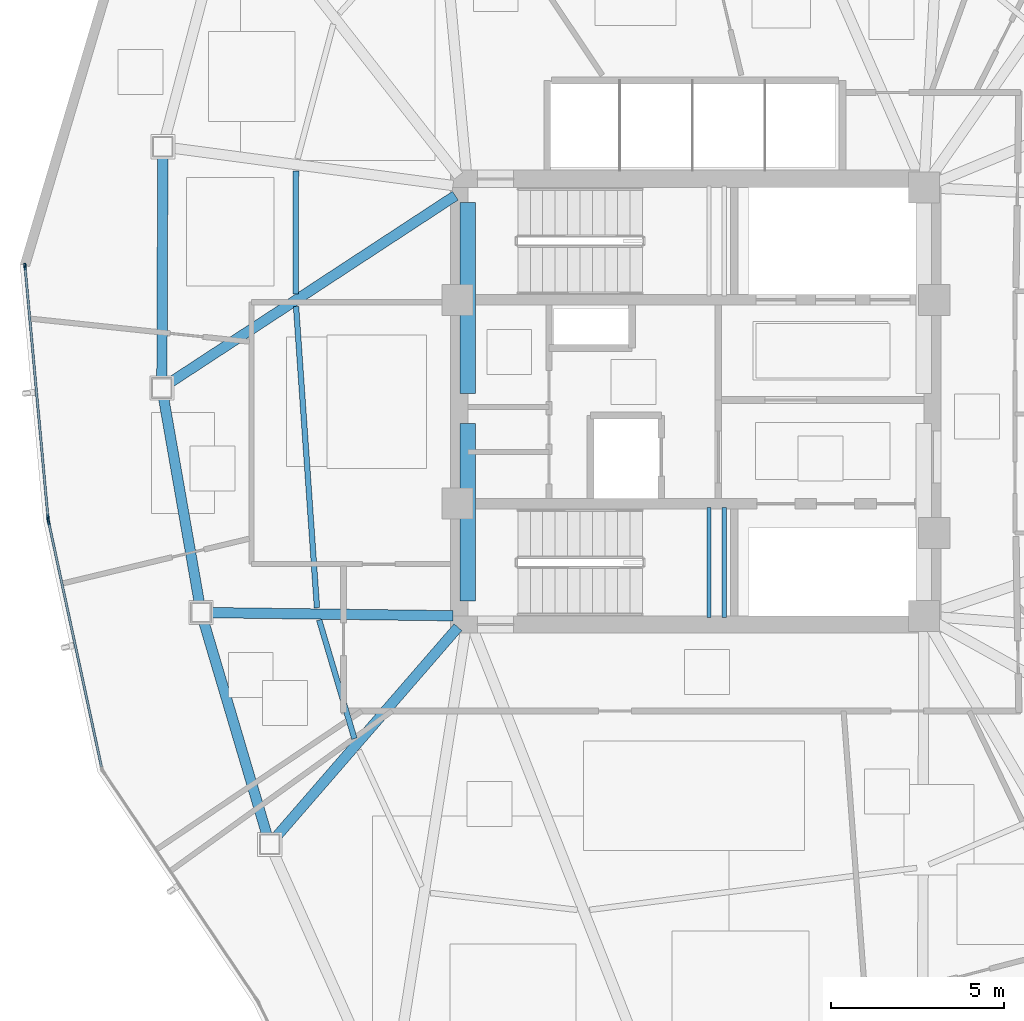
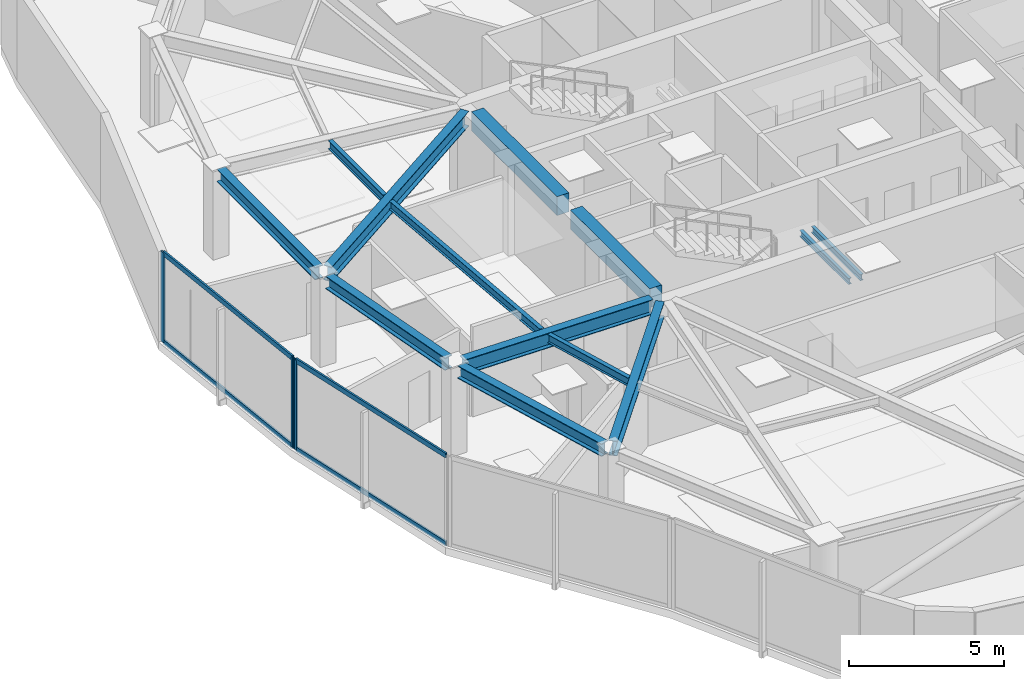
# One storey, part 4 of 17: 13 beams, 7 members, 2 elements without a shape of their own.
"""IFC4 building model written with IfcOpenShell, lengths in metres."""

import ifcopenshell
import ifcopenshell.guid

model = None  # the IFC model being written
_history = None  # IfcOwnerHistory: only IFC2X3 demands one
_inside = {}  # id of a spatial element -> (the spatial element, [elements in it])
_under = {}  # id of a project, library or spatial element -> (it, [spatial elements below it])
_declared = {}  # id of a project -> (the project, [libraries it declares])
_typed = {}  # id of a type object -> (the type object, [elements of that type])
_made_of = {}  # id of a material, layer set ... -> (it, [elements and type objects made of it])


def new_model(schema):
    """Start an empty IFC model of exactly this schema.

    Asked for "IFC4X3", IfcOpenShell would pick the latest addendum, in which some entities
    have other attributes; the version numbers below select the first issue.
    IFC2X3 requires an IfcOwnerHistory on every rooted entity: one is made here for all.
    """
    global model, _history
    if schema == "IFC4X3":
        model = ifcopenshell.file(schema_version=(4, 3, 0, 0))
    else:
        model = ifcopenshell.file(schema=schema)
    _inside.clear()
    _under.clear()
    _declared.clear()
    _typed.clear()
    _made_of.clear()
    _history = None
    if model.schema == "IFC2X3":
        org = make("IfcOrganization", Name="unknown")
        user = make(
            "IfcPersonAndOrganization",
            ThePerson=make("IfcPerson", FamilyName="unknown"),
            TheOrganization=org,
        )
        app = make(
            "IfcApplication",
            ApplicationDeveloper=org,
            Version="unknown",
            ApplicationFullName="unknown",
            ApplicationIdentifier="unknown",
        )
        _history = make(
            "IfcOwnerHistory",
            OwningUser=user,
            OwningApplication=app,
            ChangeAction="ADDED",
            CreationDate=0,
        )
    return model


def make(cls, **values):
    """One entity of the class cls with the attributes given. An attribute that is None is left unset."""
    return model.create_entity(
        cls, **{name: value for name, value in values.items() if value is not None}
    )


def rooted(cls, **values):
    """An entity with a GlobalId (a new one), such as an element, a storey or a relation."""
    return make(cls, GlobalId=ifcopenshell.guid.new(), OwnerHistory=_history, **values)


def si_unit(unit_type, name, prefix=None):
    """IfcSIUnit, for example si_unit("LENGTHUNIT", "METRE", prefix="MILLI")."""
    return make("IfcSIUnit", UnitType=unit_type, Prefix=prefix, Name=name)


def assignment(units):
    """IfcUnitAssignment: the units of a project."""
    return None if units is None else make("IfcUnitAssignment", Units=units)


def point(xyz):
    """IfcCartesianPoint."""
    return None if xyz is None else make("IfcCartesianPoint", Coordinates=xyz)


def direction(xyz):
    """IfcDirection."""
    return None if xyz is None else make("IfcDirection", DirectionRatios=xyz)


def frame(location, z_axis=None, x_axis=None):
    """IfcAxis2Placement3D, a coordinate frame: its origin and axes. An axis left out is left unset."""
    return make(
        "IfcAxis2Placement3D",
        Location=point(location),
        Axis=direction(z_axis),
        RefDirection=direction(x_axis),
    )


def frame_2d(location, x_axis=None):
    """IfcAxis2Placement2D, a coordinate frame in the plane: its origin and x axis."""
    return make(
        "IfcAxis2Placement2D", Location=point(location), RefDirection=direction(x_axis)
    )


def origin():
    """The frame at (0, 0, 0) with its axes left unset."""
    return frame((0.0, 0.0, 0.0))


def origin_2d():
    """The frame at (0, 0) in the plane with its x axis left unset."""
    return frame_2d((0.0, 0.0))


def place(relative_to, where):
    """IfcLocalPlacement: puts the frame where relative to a parent placement (None: the world)."""
    return make(
        "IfcLocalPlacement", PlacementRelTo=relative_to, RelativePlacement=where
    )


def context(
    kind, dimensions, precision=None, world=None, true_north=None, identifier=None
):
    """IfcGeometricRepresentationContext, for example the 3D "Model" context."""
    return make(
        "IfcGeometricRepresentationContext",
        ContextIdentifier=identifier,
        ContextType=kind,
        CoordinateSpaceDimension=dimensions,
        Precision=precision,
        WorldCoordinateSystem=world,
        TrueNorth=true_north,
    )


def subcontext(parent, identifier, kind, view, scale=None):
    """IfcGeometricRepresentationSubContext, for example "Body" below "Model"."""
    return make(
        "IfcGeometricRepresentationSubContext",
        ContextIdentifier=identifier,
        ContextType=kind,
        ParentContext=parent,
        TargetScale=scale,
        TargetView=view,
    )


def project(units=None, contexts=None):
    """IfcProject with its units and contexts."""
    return rooted(
        "IfcProject",
        Name="project",
        RepresentationContexts=contexts,
        UnitsInContext=assignment(units),
    )


def spatial(cls, under=None, at=None, **own):
    """A site, building, storey or space (cls), placed at a placement, below another one or the project."""
    s = rooted(cls, ObjectPlacement=at, **own)
    if under is not None:
        _under.setdefault(under.id(), (under, []))[1].append(s)
    return s


def profile(cls, at=None, kind="AREA", **sizes):
    """A parametric profile (cls). Its sizes go by their IFC names, for example OverallWidth=200.0."""
    return make(cls, ProfileType=kind, Position=at, **sizes)


def rectangle(**sizes):
    """IfcRectangleProfileDef."""
    return profile("IfcRectangleProfileDef", **sizes)


def hollow_rectangle(**sizes):
    """IfcRectangleHollowProfileDef."""
    return profile("IfcRectangleHollowProfileDef", **sizes)


def i_section(**sizes):
    """IfcIShapeProfileDef."""
    return profile("IfcIShapeProfileDef", **sizes)


def extrude(swept, where, along, depth):
    """IfcExtrudedAreaSolid: the profile swept, set in the frame where, extruded along a direction by depth."""
    return make(
        "IfcExtrudedAreaSolid",
        SweptArea=swept,
        Position=where,
        ExtrudedDirection=direction(along),
        Depth=depth,
    )


def shape(context_of_items, identifier, shape_type, items):
    """IfcShapeRepresentation: the items that make up one representation, for example the "Body"."""
    return make(
        "IfcShapeRepresentation",
        ContextOfItems=context_of_items,
        RepresentationIdentifier=identifier,
        RepresentationType=shape_type,
        Items=items,
    )


def source(mapping_origin, context_of_items, identifier, shape_type, items):
    """IfcRepresentationMap: a shape defined once, which mapped items show again and again."""
    return make(
        "IfcRepresentationMap",
        MappingOrigin=mapping_origin,
        MappedRepresentation=shape(context_of_items, identifier, shape_type, items),
    )


def transform(
    local_origin,
    x_axis=None,
    y_axis=None,
    z_axis=None,
    scale=None,
    scale2=None,
    scale3=None,
    uniform=True,
):
    """IfcCartesianTransformationOperator3D, or its non-uniform kind. x_axis, y_axis, z_axis: its Axis1, 2, 3."""
    if uniform:
        return make(
            "IfcCartesianTransformationOperator3D",
            Axis1=direction(x_axis),
            Axis2=direction(y_axis),
            LocalOrigin=point(local_origin),
            Scale=scale,
            Axis3=direction(z_axis),
        )
    return make(
        "IfcCartesianTransformationOperator3DnonUniform",
        Axis1=direction(x_axis),
        Axis2=direction(y_axis),
        LocalOrigin=point(local_origin),
        Scale=scale,
        Axis3=direction(z_axis),
        Scale2=scale2,
        Scale3=scale3,
    )


def mapped(mapping_source, mapping_target):
    """IfcMappedItem: shows the shape of a source again, moved by a transform."""
    return make(
        "IfcMappedItem", MappingSource=mapping_source, MappingTarget=mapping_target
    )


def material(Name=None, Category=None):
    """IfcMaterial."""
    return make("IfcMaterial", Name=Name, Category=Category)


def layer(
    of_material, thickness, ventilated=None, Name=None, Category=None, Priority=None
):
    """IfcMaterialLayer: one layer of a wall or slab, of a material (None: an air gap)."""
    return make(
        "IfcMaterialLayer",
        Material=of_material,
        LayerThickness=thickness,
        IsVentilated=ventilated,
        Name=Name,
        Category=Category,
        Priority=Priority,
    )


def layer_set(layers, Name=None):
    """IfcMaterialLayerSet."""
    return make("IfcMaterialLayerSet", MaterialLayers=layers, LayerSetName=Name)


def material_profile(
    of_material, cross_section, Name=None, Category=None, Priority=None
):
    """IfcMaterialProfile: a cross section and its material."""
    return make(
        "IfcMaterialProfile",
        Name=Name,
        Material=of_material,
        Profile=cross_section,
        Priority=Priority,
        Category=Category,
    )


def profile_set(profiles, Name=None, composite=None):
    """IfcMaterialProfileSet."""
    return make(
        "IfcMaterialProfileSet",
        Name=Name,
        MaterialProfiles=profiles,
        CompositeProfile=composite,
    )


def made_of(thing, what):
    """Note that an element or type object is made of a material, layer set ...; save() writes the relation."""
    if what is not None:
        _made_of.setdefault(what.id(), (what, []))[1].append(thing)
    return thing


def type_object(cls, material=None, **own):
    """A type object (cls), such as IfcWallType, which elements share."""
    return made_of(rooted(cls, **own), material)


def type_shapes(of_type, sources):
    """Give a type object the sources (RepresentationMaps) that its elements show as mapped items."""
    of_type.RepresentationMaps = sources


def element(
    cls,
    number,
    at=None,
    inside=None,
    cuts=None,
    type_object=None,
    material=None,
    context=None,
    identifier="Body",
    shape_type=None,
    held_by="IfcProductDefinitionShape",
    body=None,
    shapes=None,
    **own,
):
    """One element of the class cls, such as IfcWall. Its Tag is "e" and its number.

    at: its placement. inside: the storey or other place that contains it. cuts: it is an
    opening in that element (IfcRelVoidsElement). A single representation is given by context,
    identifier, shape_type and body (its items); several are given by shapes. held_by: the class
    of the entity that holds the representations. save() writes the other relations.
    """
    e = rooted(cls, Tag="e%d" % number, ObjectPlacement=at, **own)
    if body is not None:
        shapes = [shape(context, identifier, shape_type, body)]
    if shapes is not None:
        e.Representation = make(held_by, Representations=shapes)
    if inside is not None:
        _inside.setdefault(inside.id(), (inside, []))[1].append(e)
    if cuts is not None:
        rooted(
            "IfcRelVoidsElement", RelatingBuildingElement=cuts, RelatedOpeningElement=e
        )
    if type_object is not None:
        _typed.setdefault(type_object.id(), (type_object, []))[1].append(e)
    return made_of(e, material)


def aggregate(whole, parts):
    """IfcRelAggregates: a whole, such as a stair, and the parts it consists of."""
    return rooted("IfcRelAggregates", RelatingObject=whole, RelatedObjects=parts)


def save(model, path):
    """Write the relations noted so far, then the file.

    IfcRelAggregates (storeys below a building ...), IfcRelContainedInSpatialStructure (elements
    in a storey), IfcRelDefinesByType, IfcRelAssociatesMaterial and IfcRelDeclares: one each for
    every whole, place, type object, material and project.
    """
    for whole, parts in _under.values():
        aggregate(whole, parts)
    for where, things in _inside.values():
        rooted(
            "IfcRelContainedInSpatialStructure",
            RelatedElements=things,
            RelatingStructure=where,
        )
    for kind, things in _typed.values():
        rooted("IfcRelDefinesByType", RelatedObjects=things, RelatingType=kind)
    for what, things in _made_of.values():
        rooted("IfcRelAssociatesMaterial", RelatedObjects=things, RelatingMaterial=what)
    for by, libraries in _declared.values():
        rooted("IfcRelDeclares", RelatingContext=by, RelatedDefinitions=libraries)
    model.write(path)


model = new_model("IFC4")

# Units and contexts
model_context = context("Model", 3, precision=1e-05, world=origin(), true_north=direction((0.0, 1.0)))
body_context = subcontext(model_context, "Body", "Model", "MODEL_VIEW")
ifc_project = project(units=[si_unit("LENGTHUNIT", "METRE"), si_unit("AREAUNIT", "SQUARE_METRE"), si_unit("VOLUMEUNIT", "CUBIC_METRE"), si_unit("PLANEANGLEUNIT", "RADIAN"), si_unit("MASSUNIT", "GRAM", prefix="KILO")], contexts=[model_context])

# Site, building, storey
site_placement = place(None, origin())
site = spatial("IfcSite", under=ifc_project, at=site_placement, CompositionType="ELEMENT")
building_placement = place(site_placement, origin())
building = spatial("IfcBuilding", under=site, at=building_placement, Name="Tavelor Broadcast Tower", CompositionType="ELEMENT")
storey_placement = place(building_placement, frame((0.0, 0.0, 196.449951171875)))
storey = spatial("IfcBuildingStorey", under=building, at=storey_placement, Name="L47", CompositionType="ELEMENT", Elevation=196.449951171875)

# Beams
ifc_material_1 = material(Name="Concrete C40/50", Category="concrete")
ifc_material_profile_1 = material_profile(ifc_material_1, rectangle(XDim=0.449951171875, YDim=0.75, at=origin_2d()), Name="RC 450x750")
ifc_profile_set_1 = profile_set([ifc_material_profile_1], Name="Concrete C40/50")
beam_type_1 = type_object("IfcBeamType", Name="Basement Core Trim Beam 450x750", PredefinedType="BEAM", material=ifc_profile_set_1)
beam_1_placement = place(storey_placement, frame((43.39990234375, 45.23193359375, 3.175048828125), z_axis=(0.0, 1.0, 0.0), x_axis=(-1.0, 0.0, 0.0)))
element("IfcBeam", 1, at=beam_1_placement, inside=storey, type_object=beam_type_1, Name="L47 Core West-N Tie Girder", PredefinedType="BEAM", context=body_context, shape_type="SweptSolid", body=[
    extrude(rectangle(XDim=0.449951171875, YDim=0.75, at=origin_2d()), origin(), (0.0, 0.0, 1.0), 5.5361328125),
])
beam_2_placement = place(storey_placement, frame((43.39990234375, 39.23193359375, 3.175048828125), z_axis=(0.0, 1.0, 0.0), x_axis=(-1.0, 0.0, 0.0)))
element("IfcBeam", 2, at=beam_2_placement, inside=storey, type_object=beam_type_1, Name="L47 Core West-S Tie Girder", PredefinedType="BEAM", context=body_context, shape_type="SweptSolid", body=[
    extrude(rectangle(XDim=0.449951171875, YDim=0.75, at=origin_2d()), origin(), (0.0, 0.0, 1.0), 5.135986328125),
])
ifc_material_2 = material(Name="Steel S355", Category="steel")
ifc_material_profile_2 = material_profile(ifc_material_2, i_section(OverallWidth=0.159912109375, OverallDepth=0.330078125, WebThickness=0.007568359375, FlangeThickness=0.011474609375, at=origin_2d()), Name="IPE 330")
ifc_profile_set_2 = profile_set([ifc_material_profile_2], Name="Steel S355")
beam_type_2 = type_object("IfcBeamType", Name="Composite Floor Joist T4 IPE 330", PredefinedType="JOIST", material=ifc_profile_set_2)
beam_3_placement = place(storey_placement, frame((38.428955078125, 51.68310546875, 3.385009765625), z_axis=(-0.002943579799, -0.99999566766, 0.0), x_axis=(0.99999566766, -0.002943579799, 0.0)))
element("IfcBeam", 3, at=beam_3_placement, inside=storey, type_object=beam_type_2, Name="L47 Secondary Composite Floor Joist 03", PredefinedType="JOIST", context=body_context, shape_type="SweptSolid", body=[
    extrude(i_section(OverallWidth=0.159912109375, OverallDepth=0.330078125, WebThickness=0.007568359375, FlangeThickness=0.011474609375, at=origin_2d()), origin(), (0.0, 0.0, 1.0), 3.56640625),
])
beam_4_placement = place(storey_placement, frame((38.430419921875, 47.755126953125, 3.385009765625), z_axis=(0.069281460066, -0.997597152808, 0.0), x_axis=(0.997597152808, 0.069281460066, 0.0)))
element("IfcBeam", 4, at=beam_4_placement, inside=storey, type_object=beam_type_2, Name="L47 Secondary Composite Floor Joist 04", PredefinedType="JOIST", context=body_context, shape_type="SweptSolid", body=[
    extrude(i_section(OverallWidth=0.159912109375, OverallDepth=0.330078125, WebThickness=0.007568359375, FlangeThickness=0.011474609375, at=origin_2d()), origin(), (0.0, 0.0, 1.0), 8.7392578125),
])
beam_5_placement = place(storey_placement, frame((39.10009765625, 38.682861328125, 3.385009765625), z_axis=(0.284738295298, -0.958605290613, 0.0), x_axis=(0.958605290613, 0.284738295298, 0.0)))
element("IfcBeam", 5, at=beam_5_placement, inside=storey, type_object=beam_type_2, Name="L47 Secondary Composite Floor Joist 05", PredefinedType="JOIST", context=body_context, shape_type="SweptSolid", body=[
    extrude(i_section(OverallWidth=0.159912109375, OverallDepth=0.330078125, WebThickness=0.007568359375, FlangeThickness=0.011474609375, at=origin_2d()), origin(), (0.0, 0.0, 1.0), 3.58056640625),
])
ifc_material_profile_3 = material_profile(ifc_material_2, i_section(OverallWidth=0.300048828125, OverallDepth=0.5, WebThickness=0.014404296875, FlangeThickness=0.028076171875, at=origin_2d()), Name="HEB 500")
ifc_profile_set_3 = profile_set([ifc_material_profile_3], Name="Steel S355")
beam_type_3 = type_object("IfcBeamType", Name="Perimeter Spandrel Beam T4 HEB 500", PredefinedType="SPANDREL", material=ifc_profile_set_3)
beam_6_placement = place(storey_placement, frame((34.573974609375, 52.09130859375, 3.300048828125), z_axis=(-0.004117073981, -0.999991524815, 0.0), x_axis=(0.999991524815, -0.004117073981, 0.0)))
element("IfcBeam", 6, at=beam_6_placement, inside=storey, type_object=beam_type_3, Name="L47 Framed-Tube Ring Spandrel 03", PredefinedType="SPANDREL", context=body_context, shape_type="SweptSolid", body=[
    extrude(i_section(OverallWidth=0.300048828125, OverallDepth=0.5, WebThickness=0.014404296875, FlangeThickness=0.028076171875, at=origin_2d()), origin(), (0.0, 0.0, 1.0), 6.404296875),
])
beam_7_placement = place(storey_placement, frame((34.595947265625, 45.115478515625, 3.300048828125), z_axis=(0.171987908601, -0.985099060651, 0.0), x_axis=(0.985099060651, 0.171987908601, 0.0)))
element("IfcBeam", 7, at=beam_7_placement, inside=storey, type_object=beam_type_3, Name="L47 Framed-Tube Ring Spandrel 04", PredefinedType="SPANDREL", context=body_context, shape_type="SweptSolid", body=[
    extrude(i_section(OverallWidth=0.300048828125, OverallDepth=0.5, WebThickness=0.014404296875, FlangeThickness=0.028076171875, at=origin_2d()), origin(), (0.0, 0.0, 1.0), 6.021728515625),
])
beam_8_placement = place(storey_placement, frame((35.7626953125, 38.623779296875, 3.300048828125), z_axis=(0.283962764381, -0.958835308301, 0.0), x_axis=(0.958835308301, 0.283962764381, 0.0)))
element("IfcBeam", 8, at=beam_8_placement, inside=storey, type_object=beam_type_3, Name="L47 Framed-Tube Ring Spandrel 05", PredefinedType="SPANDREL", context=body_context, shape_type="SweptSolid", body=[
    extrude(i_section(OverallWidth=0.300048828125, OverallDepth=0.5, WebThickness=0.014404296875, FlangeThickness=0.028076171875, at=origin_2d()), origin(), (0.0, 0.0, 1.0), 6.421630859375),
])
ifc_material_profile_4 = material_profile(ifc_material_2, i_section(OverallWidth=0.300048828125, OverallDepth=0.590087890625, WebThickness=0.012939453125, FlangeThickness=0.02490234375, at=origin_2d()), Name="HEA 600")
ifc_profile_set_4 = profile_set([ifc_material_profile_4], Name="Steel S355")
beam_type_4 = type_object("IfcBeamType", Name="Radial Floor Girder T4 HEA 600", PredefinedType="BEAM", material=ifc_profile_set_4)
beam_9_placement = place(storey_placement, frame((43.038818359375, 50.963134765625, 3.255126953125), z_axis=(-0.83645565271, -0.548034616652, 0.0), x_axis=(0.548034616652, -0.83645565271, 0.0)))
element("IfcBeam", 9, at=beam_9_placement, inside=storey, type_object=beam_type_4, Name="L47 Radial Primary Floor Girder 04", PredefinedType="BEAM", context=body_context, shape_type="SweptSolid", body=[
    extrude(i_section(OverallWidth=0.300048828125, OverallDepth=0.590087890625, WebThickness=0.012939453125, FlangeThickness=0.02490234375, at=origin_2d()), origin(), (0.0, 0.0, 1.0), 9.86474609375),
])
beam_10_placement = place(storey_placement, frame((42.968017578125, 38.8056640625, 3.255126953125), z_axis=(-0.99991627243, 0.012940175006, 0.0), x_axis=(-0.012940175006, -0.99991627243, 0.0)))
element("IfcBeam", 10, at=beam_10_placement, inside=storey, type_object=beam_type_4, Name="L47 Radial Primary Floor Girder 05", PredefinedType="BEAM", context=body_context, shape_type="SweptSolid", body=[
    extrude(i_section(OverallWidth=0.300048828125, OverallDepth=0.590087890625, WebThickness=0.012939453125, FlangeThickness=0.02490234375, at=origin_2d()), origin(), (0.0, 0.0, 1.0), 6.99951171875),
])
beam_11_placement = place(storey_placement, frame((43.116943359375, 38.4736328125, 3.255126953125), z_axis=(-0.655167826376, -0.755483367972, 0.0), x_axis=(0.755483367972, -0.655167826376, 0.0)))
element("IfcBeam", 11, at=beam_11_placement, inside=storey, type_object=beam_type_4, Name="L47 Radial Primary Floor Girder 06", PredefinedType="BEAM", context=body_context, shape_type="SweptSolid", body=[
    extrude(i_section(OverallWidth=0.300048828125, OverallDepth=0.590087890625, WebThickness=0.012939453125, FlangeThickness=0.02490234375, at=origin_2d()), origin(), (0.0, 0.0, 1.0), 8.02880859375),
])
ifc_material_profile_5 = material_profile(ifc_material_2, i_section(OverallWidth=0.1201171875, OverallDepth=0.239990234375, WebThickness=0.006103515625, FlangeThickness=0.009765625, at=origin_2d()), Name="IPE 240")
ifc_profile_set_5 = profile_set([ifc_material_profile_5], Name="Steel S355")
beam_type_5 = type_object("IfcBeamType", Name="Stairwell Landing Support Trimmer Beam IPE240", PredefinedType="BEAM", material=ifc_profile_set_5)
for number, where, z_axis, x_axis, name in (
    (12, (50.385009765625, 38.760009765625, 1.610107421875), (0.0, 1.0, 0.0), (-1.0, 0.0, 0.0), "L47 Stair Landing Support Beam 341"),
    (13, (50.824951171875, 38.760009765625, 1.610107421875), (0.0, 1.0, 0.0), (-1.0, 0.0, 0.0), "L47 Stair Landing Support Beam 342"),
):
    element("IfcBeam", number, at=place(storey_placement, frame(where, z_axis=z_axis, x_axis=x_axis)), inside=storey, type_object=beam_type_5, Name=name, PredefinedType="BEAM", context=body_context, shape_type="SweptSolid", body=[
        extrude(i_section(OverallWidth=0.1201171875, OverallDepth=0.239990234375, WebThickness=0.006103515625, FlangeThickness=0.009765625, at=origin_2d()), origin(), (0.0, 0.0, 1.0), 3.179931640625),
    ])

# Curtain wall, members
ifc_material_3 = material(Name="Architectural Anodized Aluminium", Category="aluminium")
ifc_layer = layer(ifc_material_3, 0.18994140625)
ifc_layer_set = layer_set([ifc_layer], Name="Architectural Anodized Aluminium")
curtain_wall_type = type_object("IfcCurtainWallType", Name="Tower Mid-Zone Acoustic Curtain Wall CW03", PredefinedType="NOTDEFINED", material=ifc_layer_set)
curtain_wall_1_placement = place(storey_placement, origin())
curtain_wall_1 = element("IfcCurtainWall", 14, at=curtain_wall_1_placement, inside=storey, type_object=curtain_wall_type, Name="L47 Curtain Wall CW03 Run 505", PredefinedType="NOTDEFINED")
ifc_material_profile_6 = material_profile(ifc_material_3, hollow_rectangle(XDim=0.068115234375, YDim=0.18994140625, WallThickness=0.02197265625, at=origin_2d()), Name="RHS 68x190x22")
ifc_profile_set_6 = profile_set([ifc_material_profile_6], Name="Architectural Anodized Aluminium")
member_type_1 = type_object("IfcMemberType", Name="CW03 Extruded Aluminium Mullion 68x190", PredefinedType="MULLION", material=ifc_profile_set_6)
shared_shape_1 = source(origin(), body_context, "Body", "SweptSolid", [
    extrude(hollow_rectangle(XDim=0.068115234375, YDim=0.18994140625, WallThickness=0.02197265625, at=origin_2d()), origin(), (0.0, 0.0, 1.0), 3.550048828125),
])
type_shapes(member_type_1, [shared_shape_1])
member_1_placement = place(storey_placement, frame((30.585693359375, 48.917724609375, 0.0), z_axis=(0.0, 0.0, 1.0), x_axis=(0.99584535012, 0.091060631693, 0.0)))
member_1 = element("IfcMember", 15, at=member_1_placement, type_object=member_type_1, Name="CW03 mullion 1", PredefinedType="MULLION", context=body_context, shape_type="MappedRepresentation", body=[
    mapped(shared_shape_1, transform((0.0, 0.0, 0.0), scale=1.0)),
])
member_2_placement = place(storey_placement, frame((31.252197265625, 41.6298828125, 0.0), z_axis=(0.0, 0.0, 1.0), x_axis=(0.99584535012, 0.091060631693, 0.0)))
member_2 = element("IfcMember", 16, at=member_2_placement, type_object=member_type_1, Name="CW03 mullion 2", PredefinedType="MULLION", context=body_context, shape_type="MappedRepresentation", body=[
    mapped(shared_shape_1, transform((0.0, 0.0, 0.0), scale=1.0)),
])

# Curtain wall, member
curtain_wall_2_placement = place(storey_placement, origin())
curtain_wall_2 = element("IfcCurtainWall", 17, at=curtain_wall_2_placement, inside=storey, type_object=curtain_wall_type, Name="L47 Curtain Wall CW03 Run 506", PredefinedType="NOTDEFINED")
member_3_placement = place(storey_placement, frame((31.26708984375, 41.533203125, 0.0), z_axis=(0.0, 0.0, 1.0), x_axis=(0.977508433273, 0.210896332067, 0.0)))
member_3 = element("IfcMember", 18, at=member_3_placement, type_object=member_type_1, Name="CW03 mullion 1", PredefinedType="MULLION", context=body_context, shape_type="MappedRepresentation", body=[
    mapped(shared_shape_1, transform((0.0, 0.0, 0.0), scale=1.0)),
])

# Member
ifc_material_profile_7 = material_profile(ifc_material_3, hollow_rectangle(XDim=0.068115234375, YDim=0.18994140625, WallThickness=0.02197265625, at=origin_2d()), Name="RHS 68x190x22")
ifc_profile_set_7 = profile_set([ifc_material_profile_7], Name="Architectural Anodized Aluminium")
member_type_2 = type_object("IfcMemberType", Name="CW03 Extruded Aluminium Transom 68x190", PredefinedType="USERDEFINED", material=ifc_profile_set_7)
shared_shape_2 = source(origin(), body_context, "Body", "SweptSolid", [
    extrude(hollow_rectangle(XDim=0.068115234375, YDim=0.18994140625, WallThickness=0.02197265625, at=origin_2d()), origin(), (0.0, 0.0, 1.0), 7.25),
])
member_4_placement = place(storey_placement, frame((30.5888671875, 48.8837890625, 0.033935546875), z_axis=(0.09105492301, -0.995845872109, 0.0), x_axis=(0.995845872109, 0.09105492301, 0.0)))
member_4 = element("IfcMember", 19, at=member_4_placement, type_object=member_type_2, Name="CW03 transom 1.1", ObjectType="TRANSOM", PredefinedType="USERDEFINED", context=body_context, shape_type="MappedRepresentation", body=[
    mapped(shared_shape_2, transform((0.0, 0.0, 0.0), scale=1.0)),
])

member_5_placement = place(storey_placement, frame((30.5888671875, 48.8837890625, 3.51611328125), z_axis=(0.09105492301, -0.995845872109, 0.0), x_axis=(0.995845872109, 0.09105492301, 0.0)))
member_5 = element("IfcMember", 20, at=member_5_placement, type_object=member_type_2, Name="CW03 transom 1.2", ObjectType="TRANSOM", PredefinedType="USERDEFINED", context=body_context, shape_type="MappedRepresentation", body=[
    mapped(shared_shape_2, transform((0.0, 0.0, 0.0), scale=1.0)),
])

aggregate(curtain_wall_1, [member_1, member_2, member_4, member_5])

shared_shape_3 = source(origin(), body_context, "Body", "SweptSolid", [
    extrude(hollow_rectangle(XDim=0.068115234375, YDim=0.18994140625, WallThickness=0.02197265625, at=origin_2d()), origin(), (0.0, 0.0, 1.0), 7.235595703125),
])
type_shapes(member_type_2, [shared_shape_2, shared_shape_3])
member_6_placement = place(storey_placement, frame((31.274169921875, 41.5, 0.033935546875), z_axis=(0.21088844801, -0.977510134216, 0.0), x_axis=(0.977510134216, 0.21088844801, 0.0)))
member_6 = element("IfcMember", 21, at=member_6_placement, type_object=member_type_2, Name="CW03 transom 1.1", ObjectType="TRANSOM", PredefinedType="USERDEFINED", context=body_context, shape_type="MappedRepresentation", body=[
    mapped(shared_shape_3, transform((0.0, 0.0, 0.0), scale=1.0)),
])

member_7_placement = place(storey_placement, frame((31.274169921875, 41.5, 3.51611328125), z_axis=(0.21088844801, -0.977510134216, 0.0), x_axis=(0.977510134216, 0.21088844801, 0.0)))
member_7 = element("IfcMember", 22, at=member_7_placement, type_object=member_type_2, Name="CW03 transom 1.2", ObjectType="TRANSOM", PredefinedType="USERDEFINED", context=body_context, shape_type="MappedRepresentation", body=[
    mapped(shared_shape_3, transform((0.0, 0.0, 0.0), scale=1.0)),
])

aggregate(curtain_wall_2, [member_3, member_6, member_7])

save(model, "model.ifc")
